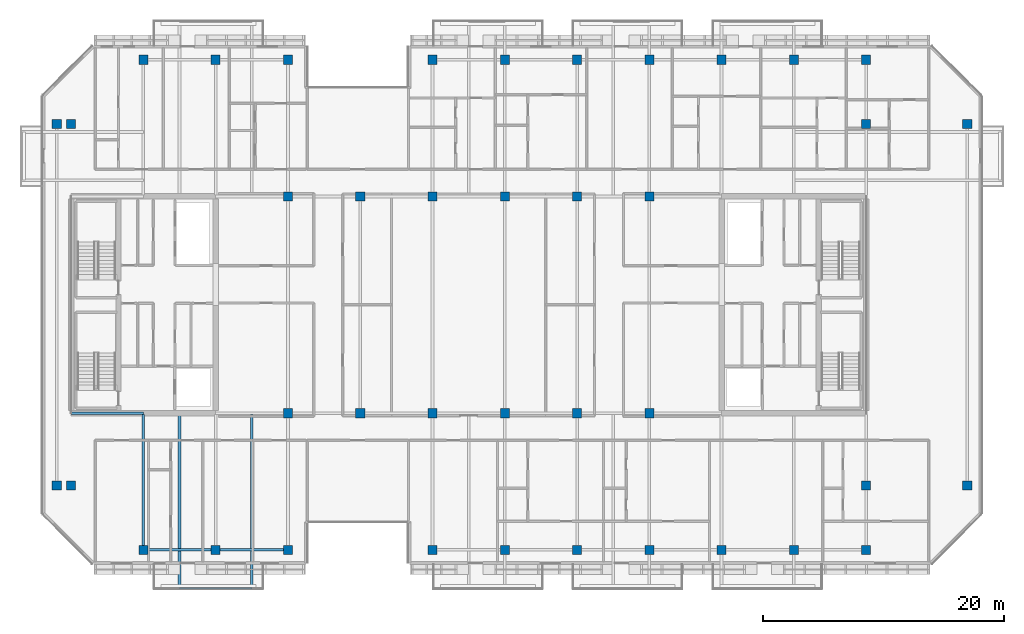
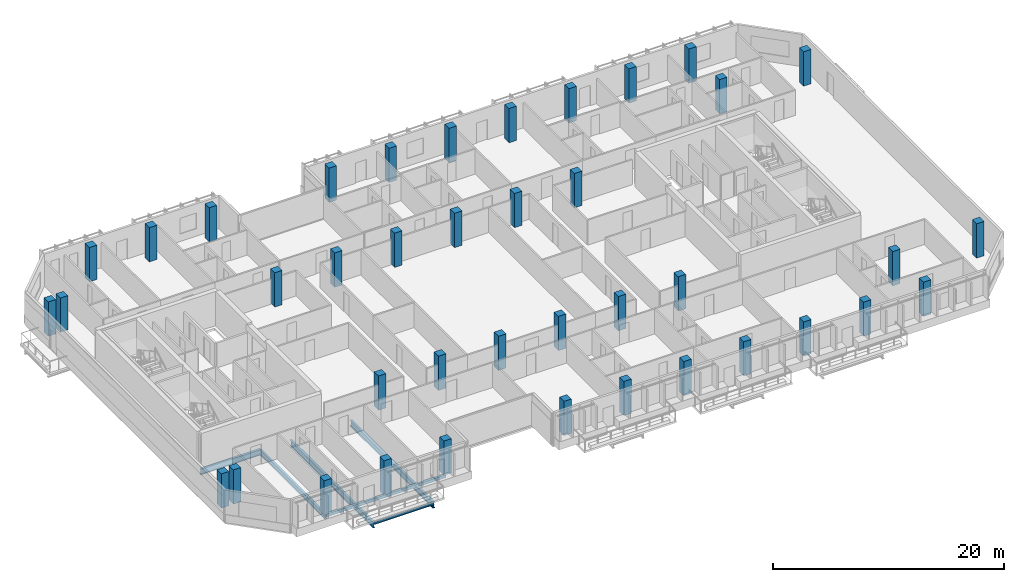
# One storey, part 1 of 23: 40 columns, 7 beams.
"""IFC4 building model written with IfcOpenShell, lengths in metres."""

from ifc_helpers import new_model, si_unit, direction, frame, origin, origin_2d, place, context, subcontext, project, spatial, rectangle, hollow_rectangle, i_section, extrude, material, material_profile, profile_set, type_object, element, save


model = new_model("IFC4")

# Units and contexts
model_context = context("Model", 3, precision=1e-05, world=origin(), true_north=direction((0.0, 1.0)))
body_context = subcontext(model_context, "Body", "Model", "MODEL_VIEW")
ifc_project = project(units=[si_unit("LENGTHUNIT", "METRE"), si_unit("AREAUNIT", "SQUARE_METRE"), si_unit("VOLUMEUNIT", "CUBIC_METRE"), si_unit("PLANEANGLEUNIT", "RADIAN"), si_unit("MASSUNIT", "GRAM", prefix="KILO")], contexts=[model_context])

# Site, building, storey
site_placement = place(None, origin())
site = spatial("IfcSite", under=ifc_project, at=site_placement, CompositionType="ELEMENT")
building_placement = place(site_placement, origin())
building = spatial("IfcBuilding", under=site, at=building_placement, Name="Tanjung Sevakor Pilgrim Tower", CompositionType="ELEMENT")
storey_placement = place(building_placement, frame((0.0, 0.0, 215.489990234375)))
storey = spatial("IfcBuildingStorey", under=building, at=storey_placement, Name="L60", CompositionType="ELEMENT", Elevation=215.489990234375)

# Columns
ifc_material_1 = material(Name="Concrete C60/75", Category="concrete")
ifc_material_profile_1 = material_profile(ifc_material_1, rectangle(XDim=0.75, YDim=0.75, at=origin_2d()))
ifc_profile_set_1 = profile_set([ifc_material_profile_1], Name="Concrete C60/75")
column_type = type_object("IfcColumnType", Name="COL-C-T750-RC_750x750", PredefinedType="COLUMN", material=ifc_profile_set_1)
for number, where, z_axis, x_axis, name in (
    (1, (42.0, 24.60009765625, 0.0), (0.0, 0.0, 1.0), (1.0, 0.0, 0.0), "L60 Column SPW-042-246"),
    (2, (42.0, 42.60009765625, 0.0), (0.0, 0.0, 1.0), (1.0, 0.0, 0.0), "L60 Column SPW-042-426"),
    (3, (48.0, 24.60009765625, 0.0), (0.0, 0.0, 1.0), (1.0, 0.0, 0.0), "L60 Column SPW-048-246"),
    (4, (48.0, 42.60009765625, 0.0), (0.0, 0.0, 1.0), (1.0, 0.0, 0.0), "L60 Column SPW-048-426"),
    (5, (54.0, 24.60009765625, 0.0), (0.0, 0.0, 1.0), (1.0, 0.0, 0.0), "L60 Column SPE-054-246"),
    (6, (54.0, 42.60009765625, 0.0), (0.0, 0.0, 1.0), (1.0, 0.0, 0.0), "L60 Column SPE-054-426"),
    (7, (60.0, 24.60009765625, 0.0), (0.0, 0.0, 1.0), (1.0, 0.0, 0.0), "L60 Column SPE-060-246"),
    (8, (60.0, 42.60009765625, 0.0), (0.0, 0.0, 1.0), (1.0, 0.0, 0.0), "L60 Column SPE-060-426"),
    (9, (66.0, 24.60009765625, 0.0), (0.0, 0.0, 1.0), (1.0, 0.0, 0.0), "L60 Column SPE-066-246"),
    (10, (66.0, 42.60009765625, 0.0), (0.0, 0.0, 1.0), (1.0, 0.0, 0.0), "L60 Column SPE-066-426"),
    (11, (72.0, 24.60009765625, 0.0), (0.0, 0.0, 1.0), (1.0, 0.0, 0.0), "L60 Column SPE-072-246"),
    (12, (72.0, 42.60009765625, 0.0), (0.0, 0.0, 1.0), (1.0, 0.0, 0.0), "L60 Column SPE-072-426"),
    (13, (22.800048828125, 18.60009765625, 0.0), (0.0, 0.0, 1.0), (1.0, 0.0, 0.0), "L60 Column TCE-0228-186"),
    (14, (22.800048828125, 48.60009765625, 0.0), (0.0, 0.0, 1.0), (1.0, 0.0, 0.0), "L60 Column TCE-0228-486"),
    (15, (24.0, 18.60009765625, 0.0), (0.0, 0.0, 1.0), (1.0, 0.0, 0.0), "L60 Column TCE-0240-186"),
    (16, (24.0, 48.60009765625, 0.0), (0.0, 0.0, 1.0), (1.0, 0.0, 0.0), "L60 Column TCE-0240-486"),
    (17, (90.0, 18.60009765625, 0.0), (0.0, 0.0, 1.0), (1.0, 0.0, 0.0), "L60 Column TCE-0900-186"),
    (18, (90.0, 48.60009765625, 0.0), (0.0, 0.0, 1.0), (1.0, 0.0, 0.0), "L60 Column TCE-0900-486"),
    (19, (98.39990234375, 18.60009765625, 0.0), (0.0, 0.0, 1.0), (1.0, 0.0, 0.0), "L60 Column TCE-0984-186"),
    (20, (98.39990234375, 48.60009765625, 0.0), (0.0, 0.0, 1.0), (1.0, 0.0, 0.0), "L60 Column TCE-0984-486"),
    (21, (30.0, 13.25, 0.0), (0.0, 0.0, 1.0), (1.0, 0.0, 0.0), "L60 Column TC4-030-132"),
    (22, (30.0, 53.949951171875, 0.0), (0.0, 0.0, 1.0), (1.0, 0.0, 0.0), "L60 Column TC4-030-540"),
    (23, (36.0, 13.25, 0.0), (0.0, 0.0, 1.0), (1.0, 0.0, 0.0), "L60 Column TC4-036-132"),
    (24, (36.0, 53.949951171875, 0.0), (0.0, 0.0, 1.0), (1.0, 0.0, 0.0), "L60 Column TC4-036-540"),
    (25, (42.0, 13.25, 0.0), (0.0, 0.0, 1.0), (1.0, 0.0, 0.0), "L60 Column TC4-042-132"),
    (26, (42.0, 53.949951171875, 0.0), (0.0, 0.0, 1.0), (1.0, 0.0, 0.0), "L60 Column TC4-042-540"),
    (27, (54.0, 13.25, 0.0), (0.0, 0.0, 1.0), (1.0, 0.0, 0.0), "L60 Column TC4-054-132"),
    (28, (54.0, 53.949951171875, 0.0), (0.0, 0.0, 1.0), (1.0, 0.0, 0.0), "L60 Column TC4-054-540"),
    (29, (60.0, 13.25, 0.0), (0.0, 0.0, 1.0), (1.0, 0.0, 0.0), "L60 Column TC4-060-132"),
    (30, (60.0, 53.949951171875, 0.0), (0.0, 0.0, 1.0), (1.0, 0.0, 0.0), "L60 Column TC4-060-540"),
    (31, (66.0, 13.25, 0.0), (0.0, 0.0, 1.0), (1.0, 0.0, 0.0), "L60 Column TC4-066-132"),
    (32, (66.0, 53.949951171875, 0.0), (0.0, 0.0, 1.0), (1.0, 0.0, 0.0), "L60 Column TC4-066-540"),
    (33, (72.0, 13.25, 0.0), (0.0, 0.0, 1.0), (1.0, 0.0, 0.0), "L60 Column TC4-072-132"),
    (34, (72.0, 53.949951171875, 0.0), (0.0, 0.0, 1.0), (1.0, 0.0, 0.0), "L60 Column TC4-072-540"),
    (35, (78.0, 13.25, 0.0), (0.0, 0.0, 1.0), (1.0, 0.0, 0.0), "L60 Column TC4-078-132"),
    (36, (78.0, 53.949951171875, 0.0), (0.0, 0.0, 1.0), (1.0, 0.0, 0.0), "L60 Column TC4-078-540"),
    (37, (84.0, 13.25, 0.0), (0.0, 0.0, 1.0), (1.0, 0.0, 0.0), "L60 Column TC4-084-132"),
    (38, (84.0, 53.949951171875, 0.0), (0.0, 0.0, 1.0), (1.0, 0.0, 0.0), "L60 Column TC4-084-540"),
    (39, (90.0, 13.25, 0.0), (0.0, 0.0, 1.0), (1.0, 0.0, 0.0), "L60 Column TC4-090-132"),
    (40, (90.0, 53.949951171875, 0.0), (0.0, 0.0, 1.0), (1.0, 0.0, 0.0), "L60 Column TC4-090-540"),
):
    element("IfcColumn", number, at=place(storey_placement, frame(where, z_axis=z_axis, x_axis=x_axis)), inside=storey, type_object=column_type, Name=name, PredefinedType="COLUMN", context=body_context, shape_type="SweptSolid", body=[
        extrude(rectangle(XDim=0.75, YDim=0.75, at=origin_2d()), origin(), (0.0, 0.0, 1.0), 3.630126953125),
    ])

# Beams
ifc_material_2 = material(Name="Steel S355J2", Category="steel")
ifc_material_profile_2 = material_profile(ifc_material_2, i_section(OverallWidth=0.22900390625, OverallDepth=0.6123046875, WebThickness=0.011962890625, FlangeThickness=0.01953125, FilletRadius=0.0126953125, at=origin_2d()))
ifc_profile_set_2 = profile_set([ifc_material_profile_2], Name="Steel S355J2")
beam_type_1 = type_object("IfcBeamType", Name="BM-B-G4-UB_610x229x125", PredefinedType="BEAM", material=ifc_profile_set_2)
beam_1_placement = place(storey_placement, frame((24.0, 24.60009765625, -0.526123046875), z_axis=(1.0, 0.0, 0.0), x_axis=(0.0, 1.0, 0.0)))
element("IfcBeam", 41, at=beam_1_placement, inside=storey, type_object=beam_type_1, Name="L60 Primary Floor Girder MAIN Y246-01", PredefinedType="BEAM", context=body_context, shape_type="SweptSolid", body=[
    extrude(i_section(OverallWidth=0.22900390625, OverallDepth=0.6123046875, WebThickness=0.011962890625, FlangeThickness=0.01953125, FilletRadius=0.0126953125, at=origin_2d()), origin(), (0.0, 0.0, 1.0), 6.0),
])
for number, where, z_axis, x_axis, name in (
    (42, (33.0, 24.485595703125, -0.526123046875), (0.0, -1.0, 0.0), (1.0, 0.0, 0.0), "L60 Balcony Cantilever Beam MAIN-S1-1"),
    (43, (39.0, 24.485595703125, -0.526123046875), (0.0, -1.0, 0.0), (1.0, 0.0, 0.0), "L60 Balcony Cantilever Beam MAIN-S1-2"),
):
    element("IfcBeam", number, at=place(storey_placement, frame(where, z_axis=z_axis, x_axis=x_axis)), inside=storey, type_object=beam_type_1, Name=name, PredefinedType="BEAM", context=body_context, shape_type="SweptSolid", body=[
        extrude(i_section(OverallWidth=0.22900390625, OverallDepth=0.6123046875, WebThickness=0.011962890625, FlangeThickness=0.01953125, FilletRadius=0.0126953125, at=origin_2d()), origin(), (0.0, 0.0, 1.0), 14.41552734375),
    ])
ifc_material_3 = material(Name="Steel S355J2", Category="steel")
ifc_material_profile_3 = material_profile(ifc_material_3, i_section(OverallWidth=0.2119140625, OverallDepth=0.54443359375, WebThickness=0.0126953125, FlangeThickness=0.021240234375, FilletRadius=0.0126953125, at=origin_2d()))
ifc_profile_set_3 = profile_set([ifc_material_profile_3], Name="Steel S355J2")
beam_type_2 = type_object("IfcBeamType", Name="BM-B-G5-UB_533x210x122", PredefinedType="BEAM", material=ifc_profile_set_3)
beam_2_placement = place(storey_placement, frame((30.0, 13.25, -0.4921875), z_axis=(0.0, 1.0, 0.0), x_axis=(-1.0, 0.0, 0.0)))
element("IfcBeam", 44, at=beam_2_placement, inside=storey, type_object=beam_type_2, Name="L60 MAIN Girder 001", PredefinedType="BEAM", context=body_context, shape_type="SweptSolid", body=[
    extrude(i_section(OverallWidth=0.2119140625, OverallDepth=0.54443359375, WebThickness=0.0126953125, FlangeThickness=0.021240234375, FilletRadius=0.0126953125, at=origin_2d()), origin(), (0.0, 0.0, 1.0), 11.235595703125),
])
ifc_material_4 = material(Name="Steel S355J2", Category="steel")
ifc_material_profile_4 = material_profile(ifc_material_4, i_section(OverallWidth=0.146484375, OverallDepth=0.256103515625, WebThickness=0.00634765625, FlangeThickness=0.010986328125, FilletRadius=0.007568359375, at=origin_2d()))
ifc_profile_set_4 = profile_set([ifc_material_profile_4], Name="Steel S355J2")
beam_type_3 = type_object("IfcBeamType", Name="BM-B-J6-UB_254x146x37", PredefinedType="JOIST", material=ifc_profile_set_4)
beam_3_placement = place(storey_placement, frame((33.0, 10.070068359375, -0.327880859375), z_axis=(1.0, 0.0, 0.0), x_axis=(0.0, 1.0, 0.0)))
element("IfcBeam", 45, at=beam_3_placement, inside=storey, type_object=beam_type_3, Name="L60 Balcony Rim Tie MAIN-S1", PredefinedType="JOIST", context=body_context, shape_type="SweptSolid", body=[
    extrude(i_section(OverallWidth=0.146484375, OverallDepth=0.256103515625, WebThickness=0.00634765625, FlangeThickness=0.010986328125, FilletRadius=0.007568359375, at=origin_2d()), origin(), (0.0, 0.0, 1.0), 6.0),
])
ifc_material_5 = material(Name="Steel S355J2", Category="steel")
ifc_material_profile_5 = material_profile(ifc_material_5, hollow_rectangle(XDim=0.199951171875, YDim=0.300048828125, WallThickness=0.012451171875, at=origin_2d()))
ifc_profile_set_5 = profile_set([ifc_material_profile_5], Name="Steel S355J2")
beam_type_4 = type_object("IfcBeamType", Name="BM-B-SP3-RHS_300x200x12.5", PredefinedType="SPANDREL", material=ifc_profile_set_5)
for number, where, z_axis, x_axis, name in (
    (46, (30.0, 13.25, -0.369873046875), (1.0, 0.0, 0.0), (0.0, 1.0, 0.0), "L60 Spandrel MAIN S-01"),
    (47, (36.0, 13.25, -0.369873046875), (1.0, 0.0, 0.0), (0.0, 1.0, 0.0), "L60 Spandrel MAIN S-03"),
):
    element("IfcBeam", number, at=place(storey_placement, frame(where, z_axis=z_axis, x_axis=x_axis)), inside=storey, type_object=beam_type_4, Name=name, PredefinedType="SPANDREL", context=body_context, shape_type="SweptSolid", body=[
        extrude(hollow_rectangle(XDim=0.199951171875, YDim=0.300048828125, WallThickness=0.012451171875, at=origin_2d()), origin(), (0.0, 0.0, 1.0), 6.0),
    ])

save(model, "model.ifc")
